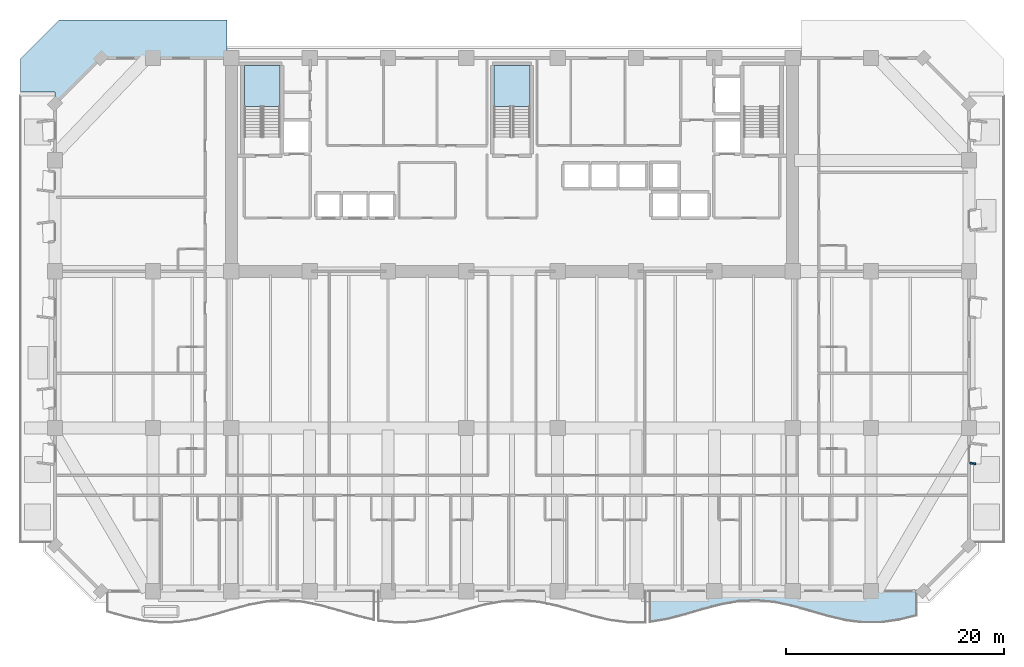
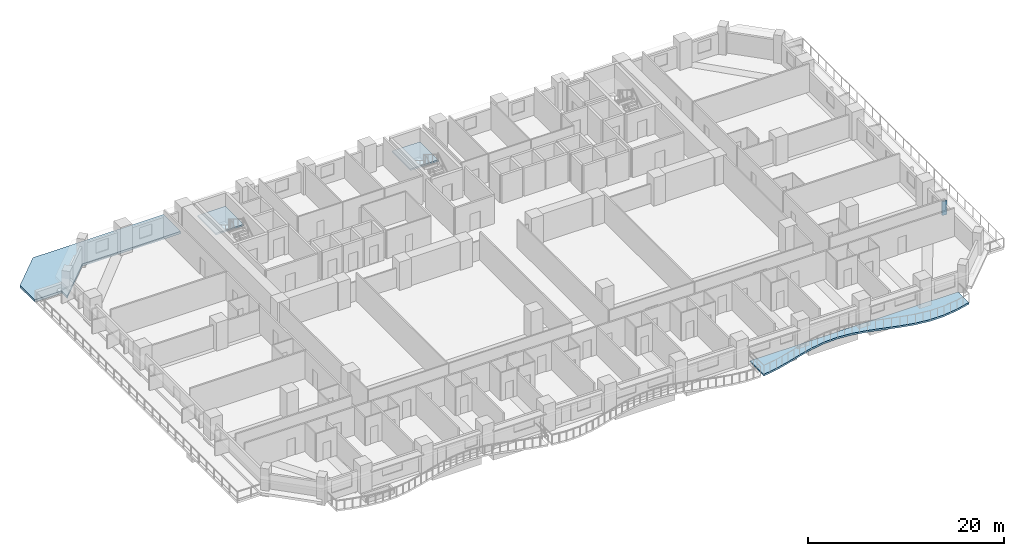
# One storey, part 3 of 17: 4 slabs, 1 plate, 2 elements without a shape of their own.
"""IFC4 building model written with IfcOpenShell, lengths in metres."""

from ifc_helpers import new_model, si_unit, direction, frame, origin, origin_2d, place, context, subcontext, project, spatial, polyline, rectangle, outline, extrude, material, layer, layer_set, type_object, element, aggregate, save


model = new_model("IFC4")

# Units and contexts
model_context = context("Model", 3, precision=1e-05, world=origin(), true_north=direction((0.0, 1.0)))
body_context = subcontext(model_context, "Body", "Model", "MODEL_VIEW")
ifc_project = project(units=[si_unit("LENGTHUNIT", "METRE"), si_unit("AREAUNIT", "SQUARE_METRE"), si_unit("VOLUMEUNIT", "CUBIC_METRE"), si_unit("PLANEANGLEUNIT", "RADIAN"), si_unit("MASSUNIT", "GRAM", prefix="KILO")], contexts=[model_context])

# Site, building, storey
site_placement = place(None, origin())
site = spatial("IfcSite", under=ifc_project, at=site_placement, CompositionType="ELEMENT")
building_placement = place(site_placement, origin())
building = spatial("IfcBuilding", under=site, at=building_placement, Name="Kaelvorn Grand Hotel", CompositionType="ELEMENT")
storey_placement = place(building_placement, frame((0.0, 0.0, 31.39990234375)))
storey = spatial("IfcBuildingStorey", under=building, at=storey_placement, Name="L05", CompositionType="ELEMENT", Elevation=31.39990234375)

# Plate
ifc_material_1 = material(Name="Precast concrete C45/55", Category="concrete")
ifc_layer_1 = layer(ifc_material_1, 0.159912109375)
ifc_layer_set_1 = layer_set([ifc_layer_1], Name="Precast concrete C45/55")
plate_type = type_object("IfcPlateType", Name="PL-FRAME-SHAL-550", PredefinedType="USERDEFINED", material=ifc_layer_set_1)
plate_placement = place(storey_placement, frame((84.364990234375, 11.735107421875, 0.68994140625), z_axis=(0.0, 0.0, 1.0), x_axis=(0.121869343405, 0.992546151641, 0.0)))
element("IfcPlate", 1, at=plate_placement, inside=storey, type_object=plate_type, Name="L05 Tilted Precast Window Frame Fin L-E01", ObjectType="FLANGE_PLATE", PredefinedType="USERDEFINED", context=body_context, shape_type="SweptSolid", body=[
    extrude(rectangle(XDim=0.159912109375, YDim=0.550048828125, at=origin_2d()), origin(), (0.0, 0.0, 1.0), 1.719970703125),
])

# Slab
ifc_material_2 = material(Name="Concrete C40/50", Category="concrete")
ifc_layer_2 = layer(ifc_material_2, 0.219970703125)
ifc_layer_set_2 = layer_set([ifc_layer_2], Name="Concrete C40/50")
slab_type_1 = type_object("IfcSlabType", Name="SLB-BALC-220-C40", PredefinedType="FLOOR", material=ifc_layer_set_2)
slab_1_placement = place(storey_placement, frame((0.0, 0.0, -0.219970703125)))
element("IfcSlab", 2, at=slab_1_placement, inside=storey, type_object=slab_type_1, Name="L05 Scalloped Wave Balcony Slab 3", PredefinedType="FLOOR", context=body_context, shape_type="SweptSolid", body=[
    extrude(outline(polyline([(54.666748046875, -2.831298828125), (56.30224609375, -2.555908203125), (57.937744140625, -2.12939453125), (59.5732421875, -1.646240234375), (61.208984375, -1.214111328125), (62.844482421875, -0.9287109375), (64.47998046875, -0.853515625), (66.115478515625, -1.005126953125), (67.751220703125, -1.349853515625), (69.38671875, -1.8115234375), (71.022216796875, -2.287109375), (72.65771484375, -2.671142578125), (74.293212890625, -2.87841796875), (75.928955078125, -2.86279296875), (77.564453125, -2.627685546875), (79.199951171875, -2.2255859375), (79.199951171875, 0.0), (54.666748046875, 0.0), (54.666748046875, -2.831298828125)])), origin(), (0.0, 0.0, 1.0), 0.219970703125),
])

# Stair, slab
stair_type = type_object("IfcStairType", Name="STR-DOG-1560-R06", PredefinedType="HALF_TURN_STAIR", material=ifc_material_2)
stair_1_placement = place(storey_placement, origin())
stair_1 = element("IfcStair", 3, at=stair_1_placement, inside=storey, type_object=stair_type, Name="L05 West Core Exit Stair ST1", PredefinedType="HALF_TURN_STAIR")
ifc_layer_3 = layer(ifc_material_2, 0.199951171875)
ifc_layer_set_3 = layer_set([ifc_layer_3], Name="Concrete C40/50")
slab_type_2 = type_object("IfcSlabType", Name="SLB-LAND-200-C40", PredefinedType="LANDING", material=ifc_layer_set_3)
slab_2_placement = place(storey_placement, frame((0.0, 0.0, 1.675048828125)))
slab_2 = element("IfcSlab", 4, at=slab_2_placement, type_object=slab_type_2, Name="ST1 landing 1", PredefinedType="LANDING", context=body_context, shape_type="SweptSolid", body=[
    extrude(outline(polyline([(20.679931640625, 44.56005859375), (20.679931640625, 48.300048828125), (17.39990234375, 48.300048828125), (17.39990234375, 44.56005859375), (20.679931640625, 44.56005859375)])), origin(), (0.0, 0.0, 1.0), 0.199951171875),
])
aggregate(stair_1, [slab_2])

stair_2_placement = place(storey_placement, origin())
stair_2 = element("IfcStair", 5, at=stair_2_placement, inside=storey, type_object=stair_type, Name="L05 Central Core Exit Stair ST2", PredefinedType="HALF_TURN_STAIR")
slab_3_placement = place(storey_placement, frame((0.0, 0.0, 1.675048828125)))
slab_3 = element("IfcSlab", 6, at=slab_3_placement, type_object=slab_type_2, Name="ST2 landing 1", PredefinedType="LANDING", context=body_context, shape_type="SweptSolid", body=[
    extrude(outline(polyline([(43.639892578125, 44.56005859375), (43.639892578125, 48.300048828125), (40.360107421875, 48.300048828125), (40.360107421875, 44.56005859375), (43.639892578125, 44.56005859375)])), origin(), (0.0, 0.0, 1.0), 0.199951171875),
])
aggregate(stair_2, [slab_3])

# Slab
ifc_layer_4 = layer(ifc_material_2, 0.280029296875)
ifc_layer_set_4 = layer_set([ifc_layer_4], Name="Concrete C40/50")
slab_type_3 = type_object("IfcSlabType", Name="SLB-TERR-280-C40", PredefinedType="ROOF", material=ifc_layer_set_4)
slab_4_placement = place(storey_placement, frame((0.0, 0.0, -0.27978515625)))
element("IfcSlab", 7, at=slab_4_placement, inside=storey, type_object=slab_type_3, Name="L05 Podium Corner Roof Slab NW", PredefinedType="ROOF", context=body_context, shape_type="SweptSolid", body=[
    extrude(outline(polyline([(-3.199951171875, 45.89990234375), (0.0, 45.89990234375), (0.0, 44.800048828125), (4.199951171875, 49.0), (15.800048828125, 49.0), (15.800048828125, 52.5), (0.39990234375, 52.5), (-3.199951171875, 48.89990234375), (-3.199951171875, 45.89990234375)])), origin(), (0.0, 0.0, 1.0), 0.27978515625),
])

save(model, "model.ifc")
